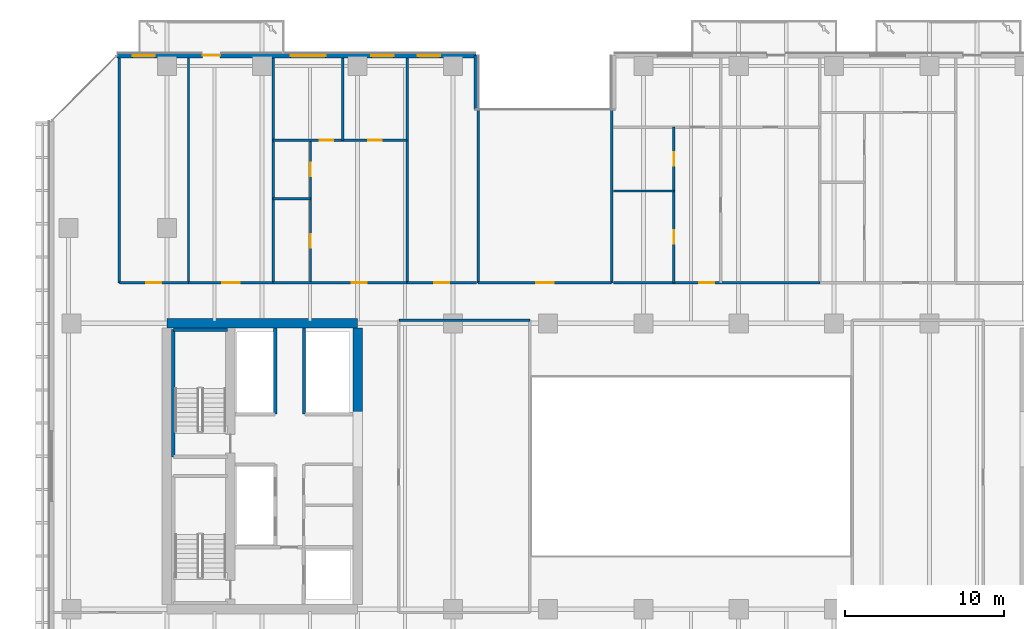
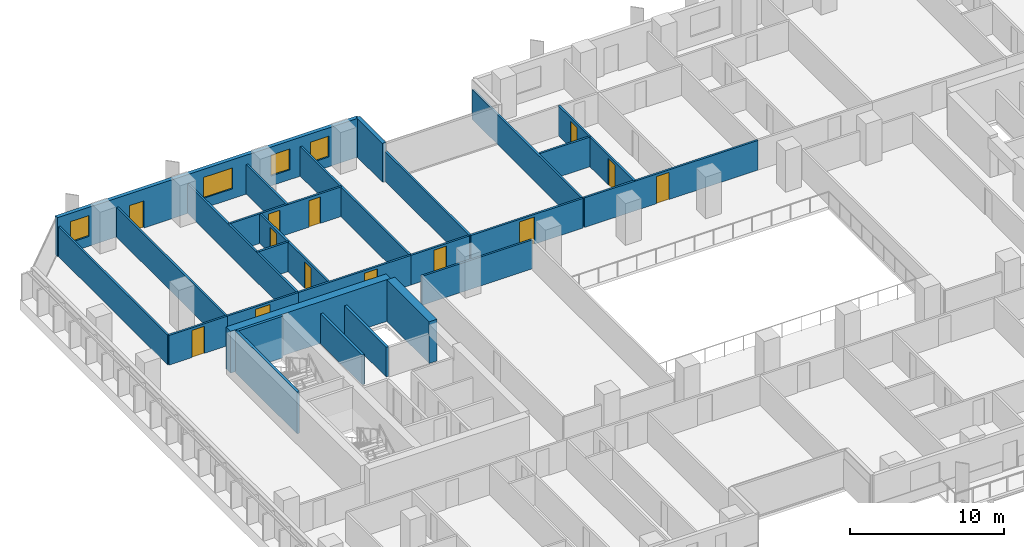
# One storey, part 20 of 33: 27 walls, 13 doors, 4 windows, 17 openings.
"""IFC4 building model written with IfcOpenShell, lengths in metres."""

from ifc_helpers import new_model, si_unit, direction, frame, frame_2d, origin, place, context, subcontext, project, spatial, rectangle, extrude, material, layer, layer_set, type_object, element, fill, save


model = new_model("IFC4")

# Units and contexts
model_context = context("Model", 3, precision=1e-05, world=origin(), true_north=direction((0.0, 1.0)))
body_context = subcontext(model_context, "Body", "Model", "MODEL_VIEW")
ifc_project = project(units=[si_unit("LENGTHUNIT", "METRE"), si_unit("AREAUNIT", "SQUARE_METRE"), si_unit("VOLUMEUNIT", "CUBIC_METRE"), si_unit("PLANEANGLEUNIT", "RADIAN"), si_unit("MASSUNIT", "GRAM", prefix="KILO")], contexts=[model_context])

# Site, building, storey
site_placement = place(None, origin())
site = spatial("IfcSite", under=ifc_project, at=site_placement, CompositionType="ELEMENT")
building_placement = place(site_placement, origin())
building = spatial("IfcBuilding", under=site, at=building_placement, Name="Tanjung Sevakor Pilgrim Tower", CompositionType="ELEMENT")
storey_placement = place(building_placement, frame((0.0, 0.0, 35.639892578125)))
storey = spatial("IfcBuildingStorey", under=building, at=storey_placement, Name="L09", CompositionType="ELEMENT", Elevation=35.639892578125)

# Walls
ifc_material_1 = material(Name="Concrete C60/75", Category="concrete")
ifc_layer_1 = layer(ifc_material_1, 0.60009765625)
ifc_layer_set_1 = layer_set([ifc_layer_1], Name="WALL-CW-600")
wall_type_1 = type_object("IfcWallType", Name="WALL-CW-600", PredefinedType="SHEAR", material=ifc_layer_set_1)
wall_1_placement = place(storey_placement, frame((36.0, 42.60009765625, 0.0), z_axis=(0.0, 0.0, 1.0), x_axis=(-1.0, 0.0, 0.0)))
element("IfcWall", 1, at=wall_1_placement, inside=storey, type_object=wall_type_1, Name="L09 W Core North Shear Wall", PredefinedType="SHEAR", context=body_context, shape_type="SweptSolid", body=[
    extrude(rectangle(XDim=12.0, YDim=0.60009765625, at=frame_2d((6.0, 0.0))), origin(), (0.0, 0.0, 1.0), 3.300048828125),
])
wall_2_placement = place(storey_placement, frame((36.0, 36.800048828125, 0.0), z_axis=(0.0, 0.0, 1.0), x_axis=(0.0, 1.0, 0.0)))
element("IfcWall", 2, at=wall_2_placement, inside=storey, type_object=wall_type_1, Name="L09 W Core Inner Shear Wall North", PredefinedType="SHEAR", context=body_context, shape_type="SweptSolid", body=[
    extrude(rectangle(XDim=5.5, YDim=0.60009765625, at=frame_2d((2.75, 0.0))), origin(), (0.0, 0.0, 1.0), 3.300048828125),
])
ifc_material_2 = material(Name="Concrete C40/50", Category="concrete")
ifc_layer_2 = layer(ifc_material_2, 0.14990234375)
ifc_layer_set_2 = layer_set([ifc_layer_2], Name="WT-COMP-150")
wall_type_2 = type_object("IfcWallType", Name="WT-COMP-150", PredefinedType="SOLIDWALL", material=ifc_layer_set_2)
wall_3_placement = place(storey_placement, frame((38.60009765625, 42.800048828125, 0.0), z_axis=(0.0, 0.0, 1.0), x_axis=(1.0, 0.0, 0.0)))
element("IfcWall", 3, at=wall_3_placement, inside=storey, type_object=wall_type_2, Name="L09 Partition IW-L09-024", PredefinedType="SOLIDWALL", context=body_context, shape_type="SweptSolid", body=[
    extrude(rectangle(XDim=8.25, YDim=0.14990234375, at=frame_2d((4.125, 0.0))), origin(), (0.0, 0.0, 1.0), 2.295166015625),
])

# Wall, opening, door
wall_4_placement = place(storey_placement, frame((43.60009765625, 45.14990234375, 0.0), z_axis=(0.0, 0.0, 1.0), x_axis=(1.0, 0.0, 0.0)))
wall_4 = element("IfcWall", 4, at=wall_4_placement, inside=storey, type_object=wall_type_2, Name="L09 Partition IW-L09-041", PredefinedType="SOLIDWALL", context=body_context, shape_type="SweptSolid", body=[
    extrude(rectangle(XDim=8.39990234375, YDim=0.14990234375, at=frame_2d((4.199951171875, 0.0))), origin(), (0.0, 0.0, 1.0), 2.35009765625),
])
opening_1_placement = place(wall_4_placement, frame((3.64990234375, 0.0, 0.0)))
opening_1 = element("IfcOpeningElement", 5, at=opening_1_placement, cuts=wall_4, Name="Opening ID-RM2", PredefinedType="OPENING", context=body_context, shape_type="SweptSolid", body=[
    extrude(rectangle(XDim=1.10009765625, YDim=2.14990234375, at=frame_2d((0.550048828125, 1.074951171875))), frame((0.0, 0.0849609375, 0.0), z_axis=(0.0, -1.0, 0.0), x_axis=(1.0, 0.0, 0.0)), (0.0, 0.0, 1.0), 0.169921875),
])
ifc_material_3 = material(Name="Hardwood Timber", Category="wood")
door_type_1 = type_object("IfcDoorType", Name="DT-INT-1100", OperationType="NOTDEFINED", PredefinedType="DOOR", material=ifc_material_3)
door_1_placement = place(opening_1_placement, origin())
door_1 = element("IfcDoor", 6, at=door_1_placement, inside=storey, type_object=door_type_1, Name="L09 North Cleft Reading Room Door", OperationType="SINGLE_SWING_RIGHT", OverallHeight=2.14990234375, OverallWidth=1.10009765625, PredefinedType="DOOR", context=body_context, shape_type="SweptSolid", body=[
    extrude(rectangle(XDim=1.10009765625, YDim=2.14990234375, at=frame_2d((0.550048828125, 1.074951171875))), frame((0.0, 0.02490234375, 0.0), z_axis=(0.0, -1.0, 0.0), x_axis=(1.0, 0.0, 0.0)), (0.0, 0.0, 1.0), 0.050048828125),
])
fill(opening_1, door_1)

# Walls
for number, where, z_axis, x_axis, name in (
    (7, (43.60009765625, 45.14990234375, 0.0), (0.0, 0.0, 1.0), (0.0, 1.0, 0.0), "L09 Partition IW-L09-042"),
    (8, (52.0, 45.14990234375, 0.0), (0.0, 0.0, 1.0), (0.0, 1.0, 0.0), "L09 Partition IW-L09-043"),
    (9, (21.0, 45.14990234375, 0.0), (0.0, 0.0, 1.0), (0.0, 1.0, 0.0), "L09 Partition IW-L09-079"),
    (10, (25.35888671875, 45.14990234375, 0.0), (0.0, 0.0, 1.0), (0.0, 1.0, 0.0), "L09 Partition IW-L09-080"),
):
    element("IfcWall", number, at=place(storey_placement, frame(where, z_axis=z_axis, x_axis=x_axis)), inside=storey, type_object=wall_type_2, Name=name, PredefinedType="SOLIDWALL", context=body_context, shape_type="SweptSolid", body=[
        extrude(rectangle(XDim=14.170166015625, YDim=0.14990234375, at=frame_2d((7.0849609375, 0.0))), origin(), (0.0, 0.0, 1.0), 2.35009765625),
    ])

# Wall, opening, door
wall_5_placement = place(storey_placement, frame((21.0, 45.14990234375, 0.0), z_axis=(0.0, 0.0, 1.0), x_axis=(1.0, 0.0, 0.0)))
wall_5 = element("IfcWall", 11, at=wall_5_placement, inside=storey, type_object=wall_type_2, Name="L09 Partition IW-L09-081", PredefinedType="SOLIDWALL", context=body_context, shape_type="SweptSolid", body=[
    extrude(rectangle(XDim=4.35888671875, YDim=0.14990234375, at=frame_2d((2.179443359375, 0.0))), origin(), (0.0, 0.0, 1.0), 2.35009765625),
])
opening_2_placement = place(wall_5_placement, frame((1.704345703125, 0.0, 0.0)))
opening_2 = element("IfcOpeningElement", 12, at=opening_2_placement, cuts=wall_5, Name="Opening ID-FD2", PredefinedType="OPENING", context=body_context, shape_type="SweptSolid", body=[
    extrude(rectangle(XDim=0.949951171875, YDim=2.14990234375, at=frame_2d((0.47509765625, 1.074951171875))), frame((0.0, 0.0849609375, 0.0), z_axis=(0.0, -1.0, 0.0), x_axis=(1.0, 0.0, 0.0)), (0.0, 0.0, 1.0), 0.169921875),
])
ifc_material_4 = material(Name="Fire-Rated Timber", Category="wood")
door_type_2 = type_object("IfcDoorType", Name="DT-FIRE-950", OperationType="NOTDEFINED", PredefinedType="DOOR", material=ifc_material_4)
door_2_placement = place(opening_2_placement, origin())
door_2 = element("IfcDoor", 13, at=door_2_placement, inside=storey, type_object=door_type_2, Name="Study Room Entrance", OperationType="SINGLE_SWING_RIGHT", OverallHeight=2.14990234375, OverallWidth=0.949951171875, PredefinedType="DOOR", context=body_context, shape_type="SweptSolid", body=[
    extrude(rectangle(XDim=0.949951171875, YDim=2.14990234375, at=frame_2d((0.47509765625, 1.074951171875))), frame((0.0, 0.02490234375, 0.0), z_axis=(0.0, -1.0, 0.0), x_axis=(1.0, 0.0, 0.0)), (0.0, 0.0, 1.0), 0.050048828125),
])
fill(opening_2, door_2)

# Wall
wall_6_placement = place(storey_placement, frame((30.686279296875, 45.14990234375, 0.0), z_axis=(0.0, 0.0, 1.0), x_axis=(0.0, 1.0, 0.0)))
element("IfcWall", 14, at=wall_6_placement, inside=storey, type_object=wall_type_2, Name="L09 Partition IW-L09-082", PredefinedType="SOLIDWALL", context=body_context, shape_type="SweptSolid", body=[
    extrude(rectangle(XDim=14.170166015625, YDim=0.14990234375, at=frame_2d((7.0849609375, 0.0))), origin(), (0.0, 0.0, 1.0), 2.35009765625),
])

# Wall, opening, door
wall_7_placement = place(storey_placement, frame((25.35888671875, 45.14990234375, 0.0), z_axis=(0.0, 0.0, 1.0), x_axis=(1.0, 0.0, 0.0)))
wall_7 = element("IfcWall", 15, at=wall_7_placement, inside=storey, type_object=wall_type_2, Name="L09 Partition IW-L09-083", PredefinedType="SOLIDWALL", context=body_context, shape_type="SweptSolid", body=[
    extrude(rectangle(XDim=5.327392578125, YDim=0.14990234375, at=frame_2d((2.66357421875, 0.0))), origin(), (0.0, 0.0, 1.0), 2.35009765625),
])
opening_3_placement = place(wall_7_placement, frame((2.11376953125, 0.0, 0.0)))
opening_3 = element("IfcOpeningElement", 16, at=opening_3_placement, cuts=wall_7, Name="Opening ID-FD0", PredefinedType="OPENING", context=body_context, shape_type="SweptSolid", body=[
    extrude(rectangle(XDim=1.10009765625, YDim=2.14990234375, at=frame_2d((0.550048828125, 1.074951171875))), frame((0.0, 0.0849609375, 0.0), z_axis=(0.0, -1.0, 0.0), x_axis=(1.0, 0.0, 0.0)), (0.0, 0.0, 1.0), 0.169921875),
])
ifc_material_5 = material(Name="Fire-Rated Steel S355J2", Category="steel")
door_type_3 = type_object("IfcDoorType", Name="DT-FIRE-1100", OperationType="NOTDEFINED", PredefinedType="DOOR", material=ifc_material_5)
door_3_placement = place(opening_3_placement, origin())
door_3 = element("IfcDoor", 17, at=door_3_placement, inside=storey, type_object=door_type_3, Name="Seminar Room Door", OperationType="SINGLE_SWING_LEFT", OverallHeight=2.14990234375, OverallWidth=1.10009765625, PredefinedType="DOOR", context=body_context, shape_type="SweptSolid", body=[
    extrude(rectangle(XDim=1.10009765625, YDim=2.14990234375, at=frame_2d((0.550048828125, 1.074951171875))), frame((0.0, 0.02490234375, 0.0), z_axis=(0.0, -1.0, 0.0), x_axis=(1.0, 0.0, 0.0)), (0.0, 0.0, 1.0), 0.050048828125),
])
fill(opening_3, door_3)

# Wall
wall_8_placement = place(storey_placement, frame((39.12109375, 45.14990234375, 0.0), z_axis=(0.0, 0.0, 1.0), x_axis=(0.0, 1.0, 0.0)))
element("IfcWall", 18, at=wall_8_placement, inside=storey, type_object=wall_type_2, Name="L09 Partition IW-L09-084", PredefinedType="SOLIDWALL", context=body_context, shape_type="SweptSolid", body=[
    extrude(rectangle(XDim=14.170166015625, YDim=0.14990234375, at=frame_2d((7.0849609375, 0.0))), origin(), (0.0, 0.0, 1.0), 2.35009765625),
])

# Wall, opening, door
wall_9_placement = place(storey_placement, frame((30.686279296875, 45.14990234375, 0.0), z_axis=(0.0, 0.0, 1.0), x_axis=(1.0, 0.0, 0.0)))
wall_9 = element("IfcWall", 19, at=wall_9_placement, inside=storey, type_object=wall_type_2, Name="L09 Partition IW-L09-089", PredefinedType="SOLIDWALL", context=body_context, shape_type="SweptSolid", body=[
    extrude(rectangle(XDim=8.434814453125, YDim=0.14990234375, at=frame_2d((4.21728515625, 0.0))), origin(), (0.0, 0.0, 1.0), 2.35009765625),
])
opening_4_placement = place(wall_9_placement, frame((4.95751953125, 0.0, 0.0)))
opening_4 = element("IfcOpeningElement", 20, at=opening_4_placement, cuts=wall_9, Name="Opening ID-FD2", PredefinedType="OPENING", context=body_context, shape_type="SweptSolid", body=[
    extrude(rectangle(XDim=0.949951171875, YDim=2.14990234375, at=frame_2d((0.47509765625, 1.074951171875))), frame((0.0, 0.0849609375, 0.0), z_axis=(0.0, -1.0, 0.0), x_axis=(1.0, 0.0, 0.0)), (0.0, 0.0, 1.0), 0.169921875),
])
door_4_placement = place(opening_4_placement, origin())
door_4 = element("IfcDoor", 21, at=door_4_placement, inside=storey, type_object=door_type_2, Name="Suite Entrance", OperationType="SINGLE_SWING_RIGHT", OverallHeight=2.14990234375, OverallWidth=0.949951171875, PredefinedType="DOOR", context=body_context, shape_type="SweptSolid", body=[
    extrude(rectangle(XDim=0.949951171875, YDim=2.14990234375, at=frame_2d((0.47509765625, 1.074951171875))), frame((0.0, 0.02490234375, 0.0), z_axis=(0.0, -1.0, 0.0), x_axis=(1.0, 0.0, 0.0)), (0.0, 0.0, 1.0), 0.050048828125),
])
fill(opening_4, door_4)

wall_10_placement = place(storey_placement, frame((39.12109375, 45.14990234375, 0.0), z_axis=(0.0, 0.0, 1.0), x_axis=(1.0, 0.0, 0.0)))
wall_10 = element("IfcWall", 22, at=wall_10_placement, inside=storey, type_object=wall_type_2, Name="L09 Partition IW-L09-090", PredefinedType="SOLIDWALL", context=body_context, shape_type="SweptSolid", body=[
    extrude(rectangle(XDim=4.35888671875, YDim=0.14990234375, at=frame_2d((2.179443359375, 0.0))), origin(), (0.0, 0.0, 1.0), 2.35009765625),
])
opening_5_placement = place(wall_10_placement, frame((1.704345703125, 0.0, 0.0)))
opening_5 = element("IfcOpeningElement", 23, at=opening_5_placement, cuts=wall_10, Name="Opening ID-FD2", PredefinedType="OPENING", context=body_context, shape_type="SweptSolid", body=[
    extrude(rectangle(XDim=0.949951171875, YDim=2.14990234375, at=frame_2d((0.47509765625, 1.074951171875))), frame((0.0, 0.0849609375, 0.0), z_axis=(0.0, -1.0, 0.0), x_axis=(1.0, 0.0, 0.0)), (0.0, 0.0, 1.0), 0.169921875),
])
door_5_placement = place(opening_5_placement, origin())
door_5 = element("IfcDoor", 24, at=door_5_placement, inside=storey, type_object=door_type_2, Name="Study Room Entrance", OperationType="SINGLE_SWING_LEFT", OverallHeight=2.14990234375, OverallWidth=0.949951171875, PredefinedType="DOOR", context=body_context, shape_type="SweptSolid", body=[
    extrude(rectangle(XDim=0.949951171875, YDim=2.14990234375, at=frame_2d((0.47509765625, 1.074951171875))), frame((0.0, 0.02490234375, 0.0), z_axis=(0.0, -1.0, 0.0), x_axis=(1.0, 0.0, 0.0)), (0.0, 0.0, 1.0), 0.050048828125),
])
fill(opening_5, door_5)

wall_11_placement = place(storey_placement, frame((52.1201171875, 45.14990234375, 0.0), z_axis=(0.0, 0.0, 1.0), x_axis=(1.0, 0.0, 0.0)))
wall_11 = element("IfcWall", 25, at=wall_11_placement, inside=storey, type_object=wall_type_2, Name="L09 Partition IW-L09-098", PredefinedType="SOLIDWALL", context=body_context, shape_type="SweptSolid", body=[
    extrude(rectangle(XDim=12.98876953125, YDim=0.14990234375, at=frame_2d((6.494384765625, 0.0))), origin(), (0.0, 0.0, 1.0), 2.35009765625),
])
opening_6_placement = place(wall_11_placement, frame((5.38720703125, 0.0, 0.0)))
opening_6 = element("IfcOpeningElement", 26, at=opening_6_placement, cuts=wall_11, Name="Opening ID-FD2", PredefinedType="OPENING", context=body_context, shape_type="SweptSolid", body=[
    extrude(rectangle(XDim=0.949951171875, YDim=2.14990234375, at=frame_2d((0.47509765625, 1.074951171875))), frame((0.0, 0.0849609375, 0.0), z_axis=(0.0, -1.0, 0.0), x_axis=(1.0, 0.0, 0.0)), (0.0, 0.0, 1.0), 0.169921875),
])
door_6_placement = place(opening_6_placement, origin())
door_6 = element("IfcDoor", 27, at=door_6_placement, inside=storey, type_object=door_type_2, Name="Suite Entrance", OperationType="SINGLE_SWING_LEFT", OverallHeight=2.14990234375, OverallWidth=0.949951171875, PredefinedType="DOOR", context=body_context, shape_type="SweptSolid", body=[
    extrude(rectangle(XDim=0.949951171875, YDim=2.14990234375, at=frame_2d((0.47509765625, 1.074951171875))), frame((0.0, 0.02490234375, 0.0), z_axis=(0.0, -1.0, 0.0), x_axis=(1.0, 0.0, 0.0)), (0.0, 0.0, 1.0), 0.050048828125),
])
fill(opening_6, door_6)

# Wall
ifc_material_6 = material(Name="Precast concrete C45/55", Category="concrete")
ifc_layer_3 = layer(ifc_material_6, 0.280029296875)
ifc_layer_set_3 = layer_set([ifc_layer_3], Name="WT-EW-STN2")
wall_type_3 = type_object("IfcWallType", Name="WT-EW-STN2", PredefinedType="SOLIDWALL", material=ifc_layer_set_3)
wall_12_placement = place(storey_placement, frame((43.4599609375, 56.06005859375, 0.0), z_axis=(0.0, 0.0, 1.0), x_axis=(0.0, 1.0, 0.0)))
element("IfcWall", 28, at=wall_12_placement, inside=storey, type_object=wall_type_3, Name="L09 MAIN Exterior Wall 12", PredefinedType="SOLIDWALL", context=body_context, shape_type="SweptSolid", body=[
    extrude(rectangle(XDim=3.39990234375, YDim=0.280029296875, at=frame_2d((1.699951171875, 0.0))), origin(), (0.0, 0.0, 1.0), 3.080078125),
])

# Wall, openings, door, windows
wall_13_placement = place(storey_placement, frame((43.4599609375, 59.4599609375, 0.0), z_axis=(0.0, 0.0, 1.0), x_axis=(-1.0, 0.0, 0.0)))
wall_13 = element("IfcWall", 29, at=wall_13_placement, inside=storey, type_object=wall_type_3, Name="L09 MAIN Exterior Wall 13", PredefinedType="SOLIDWALL", context=body_context, shape_type="SweptSolid", body=[
    extrude(rectangle(XDim=22.60205078125, YDim=0.280029296875, at=frame_2d((11.301025390625, 0.0))), origin(), (0.0, 0.0, 1.0), 3.080078125),
])
opening_7_placement = place(wall_13_placement, frame((16.110107421875, 0.0, 0.0)))
opening_7 = element("IfcOpeningElement", 30, at=opening_7_placement, cuts=wall_13, Name="Opening ED-BAL-1100", PredefinedType="OPENING", context=body_context, shape_type="SweptSolid", body=[
    extrude(rectangle(XDim=1.10009765625, YDim=2.14990234375, at=frame_2d((0.550048828125, 1.074951171875))), frame((0.0, 0.14990234375, 0.0), z_axis=(0.0, -1.0, 0.0), x_axis=(1.0, 0.0, 0.0)), (0.0, 0.0, 1.0), 0.300048828125),
])
opening_8_placement = place(wall_13_placement, frame((20.220703125, 0.0, 0.780029296875)))
opening_8 = element("IfcOpeningElement", 31, at=opening_8_placement, cuts=wall_13, Name="Opening WN-END", PredefinedType="OPENING", context=body_context, shape_type="SweptSolid", body=[
    extrude(rectangle(XDim=1.39990234375, YDim=1.64990234375, at=frame_2d((0.699951171875, 0.824951171875))), frame((0.0, 0.14990234375, 0.0), z_axis=(0.0, -1.0, 0.0), x_axis=(1.0, 0.0, 0.0)), (0.0, 0.0, 1.0), 0.300048828125),
])
opening_9_placement = place(wall_13_placement, frame((9.470703125, 0.0, 0.780029296875)))
opening_9 = element("IfcOpeningElement", 32, at=opening_9_placement, cuts=wall_13, Name="Opening WN-Z1-1660", PredefinedType="OPENING", context=body_context, shape_type="SweptSolid", body=[
    extrude(rectangle(XDim=2.199951171875, YDim=1.659912109375, at=frame_2d((1.10009765625, 0.830078125))), frame((0.0, 0.14990234375, 0.0), z_axis=(0.0, -1.0, 0.0), x_axis=(1.0, 0.0, 0.0)), (0.0, 0.0, 1.0), 0.300048828125),
])
opening_10_placement = place(wall_13_placement, frame((5.193115234375, 0.0, 0.780029296875)))
opening_10 = element("IfcOpeningElement", 33, at=opening_10_placement, cuts=wall_13, Name="Opening WN-END", PredefinedType="OPENING", context=body_context, shape_type="SweptSolid", body=[
    extrude(rectangle(XDim=1.39990234375, YDim=1.64990234375, at=frame_2d((0.699951171875, 0.824951171875))), frame((0.0, 0.14990234375, 0.0), z_axis=(0.0, -1.0, 0.0), x_axis=(1.0, 0.0, 0.0)), (0.0, 0.0, 1.0), 0.300048828125),
])
opening_11_placement = place(wall_13_placement, frame((2.259521484375, 0.0, 0.780029296875)))
opening_11 = element("IfcOpeningElement", 34, at=opening_11_placement, cuts=wall_13, Name="Opening WN-END", PredefinedType="OPENING", context=body_context, shape_type="SweptSolid", body=[
    extrude(rectangle(XDim=1.39990234375, YDim=1.64990234375, at=frame_2d((0.699951171875, 0.824951171875))), frame((0.0, 0.14990234375, 0.0), z_axis=(0.0, -1.0, 0.0), x_axis=(1.0, 0.0, 0.0)), (0.0, 0.0, 1.0), 0.300048828125),
])
ifc_material_7 = material(Name="Anodised Aluminium and Laminated Glass", Category="aluminium")
door_type_4 = type_object("IfcDoorType", Name="DTYP-ED-BAL-1100", OperationType="NOTDEFINED", PredefinedType="DOOR", material=ifc_material_7)
door_7_placement = place(opening_7_placement, frame((1.10009765625, 0.0, 0.0), z_axis=(0.0, 0.0, 1.0), x_axis=(-1.0, 0.0, 0.0)))
door_7 = element("IfcDoor", 35, at=door_7_placement, inside=storey, type_object=door_type_4, Name="L09 Balcony Door MAIN-N1", OperationType="SINGLE_SWING_RIGHT", OverallHeight=2.14990234375, OverallWidth=1.10009765625, PredefinedType="DOOR", context=body_context, shape_type="SweptSolid", body=[
    extrude(rectangle(XDim=1.10009765625, YDim=2.14990234375, at=frame_2d((0.550048828125, 1.074951171875))), frame((0.0, 0.02490234375, 0.0), z_axis=(0.0, -1.0, 0.0), x_axis=(1.0, 0.0, 0.0)), (0.0, 0.0, 1.0), 0.050048828125),
])
fill(opening_7, door_7)
ifc_material_8 = material(Name="Thermally Broken Aluminium and Low-E Glass", Category="aluminium")
window_type_1 = type_object("IfcWindowType", Name="WTYP-WN-END", PartitioningType="SINGLE_PANEL", PredefinedType="WINDOW", material=ifc_material_8)
window_1_placement = place(opening_8_placement, origin())
window_1 = element("IfcWindow", 36, at=window_1_placement, inside=storey, type_object=window_type_1, Name="L09 Facade Window 01", OverallHeight=1.64990234375, OverallWidth=1.39990234375, PartitioningType="SINGLE_PANEL", PredefinedType="WINDOW", context=body_context, shape_type="SweptSolid", body=[
    extrude(rectangle(XDim=1.39990234375, YDim=1.64990234375, at=frame_2d((0.699951171875, 0.824951171875))), frame((0.0, 0.030029296875, 0.0), z_axis=(0.0, -1.0, 0.0), x_axis=(1.0, 0.0, 0.0)), (0.0, 0.0, 1.0), 0.06005859375),
])
fill(opening_8, window_1)
window_2_placement = place(opening_10_placement, origin())
window_2 = element("IfcWindow", 37, at=window_2_placement, inside=storey, type_object=window_type_1, Name="L09 Facade Window 03", OverallHeight=1.64990234375, OverallWidth=1.39990234375, PartitioningType="SINGLE_PANEL", PredefinedType="WINDOW", context=body_context, shape_type="SweptSolid", body=[
    extrude(rectangle(XDim=1.39990234375, YDim=1.64990234375, at=frame_2d((0.699951171875, 0.824951171875))), frame((0.0, 0.030029296875, 0.0), z_axis=(0.0, -1.0, 0.0), x_axis=(1.0, 0.0, 0.0)), (0.0, 0.0, 1.0), 0.06005859375),
])
fill(opening_10, window_2)
window_3_placement = place(opening_11_placement, origin())
window_3 = element("IfcWindow", 38, at=window_3_placement, inside=storey, type_object=window_type_1, Name="L09 Facade Window 04", OverallHeight=1.64990234375, OverallWidth=1.39990234375, PartitioningType="SINGLE_PANEL", PredefinedType="WINDOW", context=body_context, shape_type="SweptSolid", body=[
    extrude(rectangle(XDim=1.39990234375, YDim=1.64990234375, at=frame_2d((0.699951171875, 0.824951171875))), frame((0.0, 0.030029296875, 0.0), z_axis=(0.0, -1.0, 0.0), x_axis=(1.0, 0.0, 0.0)), (0.0, 0.0, 1.0), 0.06005859375),
])
fill(opening_11, window_3)
ifc_material_9 = material(Name="Thermally Broken Aluminium and Low-E Glass", Category="aluminium")
window_type_2 = type_object("IfcWindowType", Name="WTYP-WN-Z1-1660", PartitioningType="DOUBLE_PANEL_VERTICAL", PredefinedType="WINDOW", material=ifc_material_9)
window_4_placement = place(opening_9_placement, origin())
window_4 = element("IfcWindow", 39, at=window_4_placement, inside=storey, type_object=window_type_2, Name="L09 Facade Window 02", OverallHeight=1.659912109375, OverallWidth=2.199951171875, PartitioningType="SINGLE_PANEL", PredefinedType="WINDOW", context=body_context, shape_type="SweptSolid", body=[
    extrude(rectangle(XDim=2.199951171875, YDim=1.659912109375, at=frame_2d((1.10009765625, 0.830078125))), frame((0.0, 0.030029296875, 0.0), z_axis=(0.0, -1.0, 0.0), x_axis=(1.0, 0.0, 0.0)), (0.0, 0.0, 1.0), 0.06005859375),
])
fill(opening_9, window_4)

# Walls
ifc_material_10 = material(Name="Concrete C40/50", Category="concrete")
ifc_layer_4 = layer(ifc_material_10, 0.199951171875)
ifc_layer_set_4 = layer_set([ifc_layer_4], Name="WT-FIRE-200")
wall_type_4 = type_object("IfcWallType", Name="WT-FIRE-200", PredefinedType="SOLIDWALL", material=ifc_layer_set_4)
wall_14_placement = place(storey_placement, frame((27.800048828125, 42.199951171875, 0.0), z_axis=(0.0, 0.0, 1.0), x_axis=(-1.0, 0.0, 0.0)))
element("IfcWall", 40, at=wall_14_placement, inside=storey, type_object=wall_type_4, Name="L09 TS-W2 Shaft Wall 2", PredefinedType="SOLIDWALL", context=body_context, shape_type="SweptSolid", body=[
    extrude(rectangle(XDim=3.400146484375, YDim=0.199951171875, at=frame_2d((1.7001953125, 0.0))), origin(), (0.0, 0.0, 1.0), 3.300048828125),
])
wall_15_placement = place(storey_placement, frame((24.39990234375, 42.199951171875, 0.0), z_axis=(0.0, 0.0, 1.0), x_axis=(0.0, -1.0, 0.0)))
element("IfcWall", 41, at=wall_15_placement, inside=storey, type_object=wall_type_4, Name="L09 TS-W2 Shaft Wall 3", PredefinedType="SOLIDWALL", context=body_context, shape_type="SweptSolid", body=[
    extrude(rectangle(XDim=8.0, YDim=0.199951171875, at=frame_2d((4.0, 0.0))), origin(), (0.0, 0.0, 1.0), 3.300048828125),
])
ifc_material_11 = material(Name="Concrete C40/50", Category="concrete")
ifc_layer_5 = layer(ifc_material_11, 0.199951171875)
ifc_layer_set_5 = layer_set([ifc_layer_5], Name="WT-FPRT-200")
wall_type_5 = type_object("IfcWallType", Name="WT-FPRT-200", PredefinedType="SOLIDWALL", material=ifc_layer_set_5)
for number, where, z_axis, x_axis, name in (
    (42, (30.820068359375, 36.8798828125, 0.0), (0.0, 0.0, 1.0), (0.0, 1.0, 0.0), "L09 Partition IW-L09-009"),
    (43, (32.6201171875, 36.8798828125, 0.0), (0.0, 0.0, 1.0), (0.0, 1.0, 0.0), "L09 Partition IW-L09-011"),
):
    element("IfcWall", number, at=place(storey_placement, frame(where, z_axis=z_axis, x_axis=x_axis)), inside=storey, type_object=wall_type_5, Name=name, PredefinedType="SOLIDWALL", context=body_context, shape_type="SweptSolid", body=[
        extrude(rectangle(XDim=5.420166015625, YDim=0.199951171875, at=frame_2d((2.7099609375, 0.0))), origin(), (0.0, 0.0, 1.0), 2.35009765625),
    ])
ifc_material_12 = material(Name="Gypsum Board Partition", Category="gypsum board")
ifc_layer_6 = layer(ifc_material_12, 0.14990234375)
ifc_layer_set_6 = layer_set([ifc_layer_6], Name="WT-PART-150")
wall_type_6 = type_object("IfcWallType", Name="WT-PART-150", PredefinedType="PARTITIONING", material=ifc_layer_set_6)
wall_16_placement = place(storey_placement, frame((30.686279296875, 50.4423828125, 0.0), z_axis=(0.0, 0.0, 1.0), x_axis=(1.0, 0.0, 0.0)))
element("IfcWall", 44, at=wall_16_placement, inside=storey, type_object=wall_type_6, Name="L09 Partition IW-L09-085", PredefinedType="PARTITIONING", context=body_context, shape_type="SweptSolid", body=[
    extrude(rectangle(XDim=2.349853515625, YDim=0.14990234375, at=frame_2d((1.1748046875, 0.0))), origin(), (0.0, 0.0, 1.0), 2.35009765625),
])

# Wall, openings, doors
wall_17_placement = place(storey_placement, frame((33.0361328125, 45.14990234375, 0.0), z_axis=(0.0, 0.0, 1.0), x_axis=(0.0, 1.0, 0.0)))
wall_17 = element("IfcWall", 45, at=wall_17_placement, inside=storey, type_object=wall_type_6, Name="L09 Partition IW-L09-086", PredefinedType="PARTITIONING", context=body_context, shape_type="SweptSolid", body=[
    extrude(rectangle(XDim=8.97021484375, YDim=0.14990234375, at=frame_2d((4.485107421875, 0.0))), origin(), (0.0, 0.0, 1.0), 2.35009765625),
])
opening_12_placement = place(wall_17_placement, frame((2.22119140625, 0.0, 0.0)))
opening_12 = element("IfcOpeningElement", 46, at=opening_12_placement, cuts=wall_17, Name="Opening ID-WC1", PredefinedType="OPENING", context=body_context, shape_type="SweptSolid", body=[
    extrude(rectangle(XDim=0.85009765625, YDim=2.10009765625, at=frame_2d((0.425048828125, 1.050048828125))), frame((0.0, 0.0849609375, 0.0), z_axis=(0.0, -1.0, 0.0), x_axis=(1.0, 0.0, 0.0)), (0.0, 0.0, 1.0), 0.169921875),
])
opening_13_placement = place(wall_17_placement, frame((6.706298828125, 0.0, 0.0)))
opening_13 = element("IfcOpeningElement", 47, at=opening_13_placement, cuts=wall_17, Name="Opening ID-WC1", PredefinedType="OPENING", context=body_context, shape_type="SweptSolid", body=[
    extrude(rectangle(XDim=0.85009765625, YDim=2.10009765625, at=frame_2d((0.425048828125, 1.050048828125))), frame((0.0, 0.0849609375, 0.0), z_axis=(0.0, -1.0, 0.0), x_axis=(1.0, 0.0, 0.0)), (0.0, 0.0, 1.0), 0.169921875),
])
ifc_material_13 = material(Name="Moisture-Resistant Timber", Category="wood")
door_type_5 = type_object("IfcDoorType", Name="DT-INT-850", OperationType="NOTDEFINED", PredefinedType="DOOR", material=ifc_material_13)
door_8_placement = place(opening_12_placement, origin())
door_8 = element("IfcDoor", 48, at=door_8_placement, inside=storey, type_object=door_type_5, Name="Suite Kitchenette Door", OperationType="SINGLE_SWING_RIGHT", OverallHeight=2.10009765625, OverallWidth=0.85009765625, PredefinedType="DOOR", context=body_context, shape_type="SweptSolid", body=[
    extrude(rectangle(XDim=0.85009765625, YDim=2.10009765625, at=frame_2d((0.425048828125, 1.050048828125))), frame((0.0, 0.02490234375, 0.0), z_axis=(0.0, -1.0, 0.0), x_axis=(1.0, 0.0, 0.0)), (0.0, 0.0, 1.0), 0.050048828125),
])
fill(opening_12, door_8)
door_9_placement = place(opening_13_placement, origin())
door_9 = element("IfcDoor", 49, at=door_9_placement, inside=storey, type_object=door_type_5, Name="Suite Bathroom Door", OperationType="SINGLE_SWING_LEFT", OverallHeight=2.10009765625, OverallWidth=0.85009765625, PredefinedType="DOOR", context=body_context, shape_type="SweptSolid", body=[
    extrude(rectangle(XDim=0.85009765625, YDim=2.10009765625, at=frame_2d((0.425048828125, 1.050048828125))), frame((0.0, 0.02490234375, 0.0), z_axis=(0.0, -1.0, 0.0), x_axis=(1.0, 0.0, 0.0)), (0.0, 0.0, 1.0), 0.050048828125),
])
fill(opening_13, door_9)

# Wall
wall_18_placement = place(storey_placement, frame((35.072509765625, 54.1201171875, 0.0), z_axis=(0.0, 0.0, 1.0), x_axis=(0.0, 1.0, 0.0)))
element("IfcWall", 50, at=wall_18_placement, inside=storey, type_object=wall_type_6, Name="L09 Partition IW-L09-087", PredefinedType="PARTITIONING", context=body_context, shape_type="SweptSolid", body=[
    extrude(rectangle(XDim=5.199951171875, YDim=0.14990234375, at=frame_2d((2.60009765625, 0.0))), origin(), (0.0, 0.0, 1.0), 2.35009765625),
])

# Wall, openings, doors
wall_19_placement = place(storey_placement, frame((30.686279296875, 54.1201171875, 0.0), z_axis=(0.0, 0.0, 1.0), x_axis=(1.0, 0.0, 0.0)))
wall_19 = element("IfcWall", 51, at=wall_19_placement, inside=storey, type_object=wall_type_6, Name="L09 Partition IW-L09-088", PredefinedType="PARTITIONING", context=body_context, shape_type="SweptSolid", body=[
    extrude(rectangle(XDim=8.434814453125, YDim=0.14990234375, at=frame_2d((4.21728515625, 0.0))), origin(), (0.0, 0.0, 1.0), 2.35009765625),
])
opening_14_placement = place(wall_19_placement, frame((2.943115234375, 0.0, 0.0)))
opening_14 = element("IfcOpeningElement", 52, at=opening_14_placement, cuts=wall_19, Name="Opening ID-WC1", PredefinedType="OPENING", context=body_context, shape_type="SweptSolid", body=[
    extrude(rectangle(XDim=0.85009765625, YDim=2.10009765625, at=frame_2d((0.425048828125, 1.050048828125))), frame((0.0, 0.0849609375, 0.0), z_axis=(0.0, -1.0, 0.0), x_axis=(1.0, 0.0, 0.0)), (0.0, 0.0, 1.0), 0.169921875),
])
opening_15_placement = place(wall_19_placement, frame((5.985595703125, 0.0, 0.0)))
opening_15 = element("IfcOpeningElement", 53, at=opening_15_placement, cuts=wall_19, Name="Opening ID-WC1", PredefinedType="OPENING", context=body_context, shape_type="SweptSolid", body=[
    extrude(rectangle(XDim=0.85009765625, YDim=2.10009765625, at=frame_2d((0.425048828125, 1.050048828125))), frame((0.0, 0.0849609375, 0.0), z_axis=(0.0, -1.0, 0.0), x_axis=(1.0, 0.0, 0.0)), (0.0, 0.0, 1.0), 0.169921875),
])
door_10_placement = place(opening_14_placement, origin())
door_10 = element("IfcDoor", 54, at=door_10_placement, inside=storey, type_object=door_type_5, Name="Suite Bedroom 1 Door", OperationType="SINGLE_SWING_RIGHT", OverallHeight=2.10009765625, OverallWidth=0.85009765625, PredefinedType="DOOR", context=body_context, shape_type="SweptSolid", body=[
    extrude(rectangle(XDim=0.85009765625, YDim=2.10009765625, at=frame_2d((0.425048828125, 1.050048828125))), frame((0.0, 0.02490234375, 0.0), z_axis=(0.0, -1.0, 0.0), x_axis=(1.0, 0.0, 0.0)), (0.0, 0.0, 1.0), 0.050048828125),
])
fill(opening_14, door_10)
door_11_placement = place(opening_15_placement, origin())
door_11 = element("IfcDoor", 55, at=door_11_placement, inside=storey, type_object=door_type_5, Name="Suite Bedroom 2 Door", OperationType="SINGLE_SWING_LEFT", OverallHeight=2.10009765625, OverallWidth=0.85009765625, PredefinedType="DOOR", context=body_context, shape_type="SweptSolid", body=[
    extrude(rectangle(XDim=0.85009765625, YDim=2.10009765625, at=frame_2d((0.425048828125, 1.050048828125))), frame((0.0, 0.02490234375, 0.0), z_axis=(0.0, -1.0, 0.0), x_axis=(1.0, 0.0, 0.0)), (0.0, 0.0, 1.0), 0.050048828125),
])
fill(opening_15, door_11)

# Wall
wall_20_placement = place(storey_placement, frame((52.1201171875, 50.933349609375, 0.0), z_axis=(0.0, 0.0, 1.0), x_axis=(1.0, 0.0, 0.0)))
element("IfcWall", 56, at=wall_20_placement, inside=storey, type_object=wall_type_6, Name="L09 Partition IW-L09-094", PredefinedType="PARTITIONING", context=body_context, shape_type="SweptSolid", body=[
    extrude(rectangle(XDim=3.7998046875, YDim=0.14990234375, at=frame_2d((1.89990234375, 0.0))), origin(), (0.0, 0.0, 1.0), 2.35009765625),
])

# Wall, openings, doors
wall_21_placement = place(storey_placement, frame((55.919921875, 45.14990234375, 0.0), z_axis=(0.0, 0.0, 1.0), x_axis=(0.0, 1.0, 0.0)))
wall_21 = element("IfcWall", 57, at=wall_21_placement, inside=storey, type_object=wall_type_6, Name="L09 Partition IW-L09-095", PredefinedType="PARTITIONING", context=body_context, shape_type="SweptSolid", body=[
    extrude(rectangle(XDim=9.802490234375, YDim=0.14990234375, at=frame_2d((4.9013671875, 0.0))), origin(), (0.0, 0.0, 1.0), 2.35009765625),
])
opening_16_placement = place(wall_21_placement, frame((2.466796875, 0.0, 0.0)))
opening_16 = element("IfcOpeningElement", 58, at=opening_16_placement, cuts=wall_21, Name="Opening ID-WC1", PredefinedType="OPENING", context=body_context, shape_type="SweptSolid", body=[
    extrude(rectangle(XDim=0.85009765625, YDim=2.10009765625, at=frame_2d((0.425048828125, 1.050048828125))), frame((0.0, 0.0849609375, 0.0), z_axis=(0.0, -1.0, 0.0), x_axis=(1.0, 0.0, 0.0)), (0.0, 0.0, 1.0), 0.169921875),
])
opening_17_placement = place(wall_21_placement, frame((7.367919921875, 0.0, 0.0)))
opening_17 = element("IfcOpeningElement", 59, at=opening_17_placement, cuts=wall_21, Name="Opening ID-WC1", PredefinedType="OPENING", context=body_context, shape_type="SweptSolid", body=[
    extrude(rectangle(XDim=0.85009765625, YDim=2.10009765625, at=frame_2d((0.425048828125, 1.050048828125))), frame((0.0, 0.0849609375, 0.0), z_axis=(0.0, -1.0, 0.0), x_axis=(1.0, 0.0, 0.0)), (0.0, 0.0, 1.0), 0.169921875),
])
door_12_placement = place(opening_16_placement, origin())
door_12 = element("IfcDoor", 60, at=door_12_placement, inside=storey, type_object=door_type_5, Name="Suite Kitchenette Door", OperationType="SINGLE_SWING_LEFT", OverallHeight=2.10009765625, OverallWidth=0.85009765625, PredefinedType="DOOR", context=body_context, shape_type="SweptSolid", body=[
    extrude(rectangle(XDim=0.85009765625, YDim=2.10009765625, at=frame_2d((0.425048828125, 1.050048828125))), frame((0.0, 0.02490234375, 0.0), z_axis=(0.0, -1.0, 0.0), x_axis=(1.0, 0.0, 0.0)), (0.0, 0.0, 1.0), 0.050048828125),
])
fill(opening_16, door_12)
door_13_placement = place(opening_17_placement, origin())
door_13 = element("IfcDoor", 61, at=door_13_placement, inside=storey, type_object=door_type_5, Name="Suite Bathroom Door", OperationType="SINGLE_SWING_RIGHT", OverallHeight=2.10009765625, OverallWidth=0.85009765625, PredefinedType="DOOR", context=body_context, shape_type="SweptSolid", body=[
    extrude(rectangle(XDim=0.85009765625, YDim=2.10009765625, at=frame_2d((0.425048828125, 1.050048828125))), frame((0.0, 0.02490234375, 0.0), z_axis=(0.0, -1.0, 0.0), x_axis=(1.0, 0.0, 0.0)), (0.0, 0.0, 1.0), 0.050048828125),
])
fill(opening_17, door_13)

save(model, "model.ifc")
